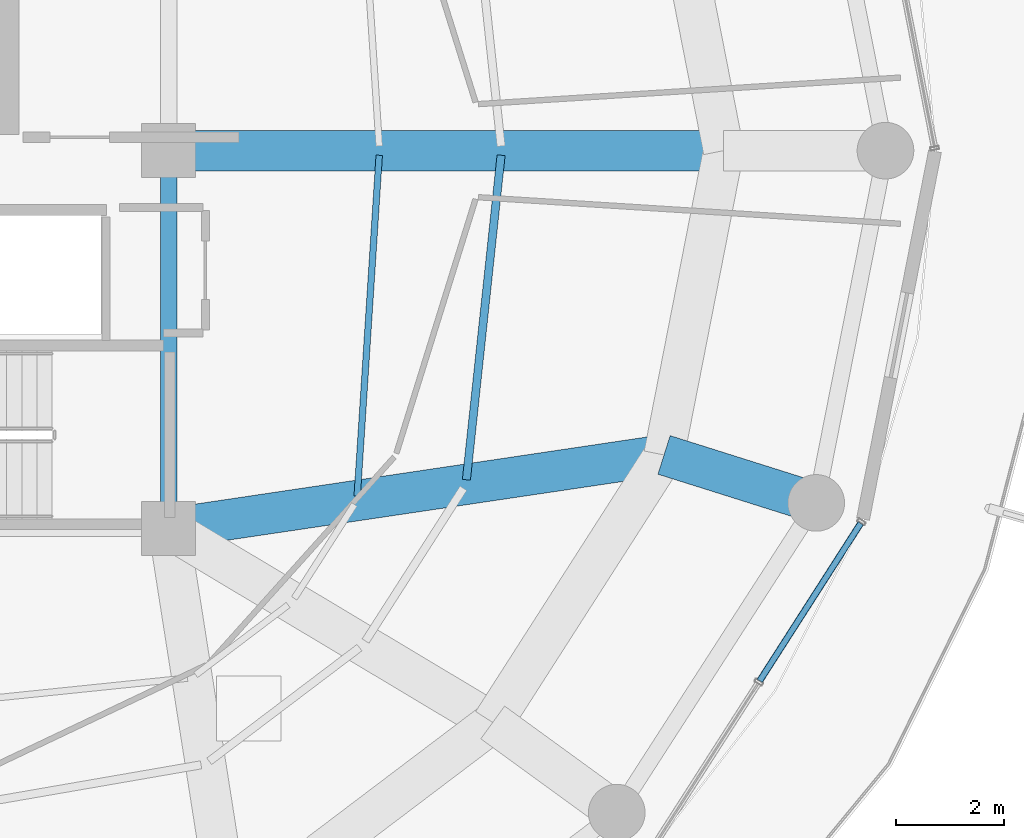
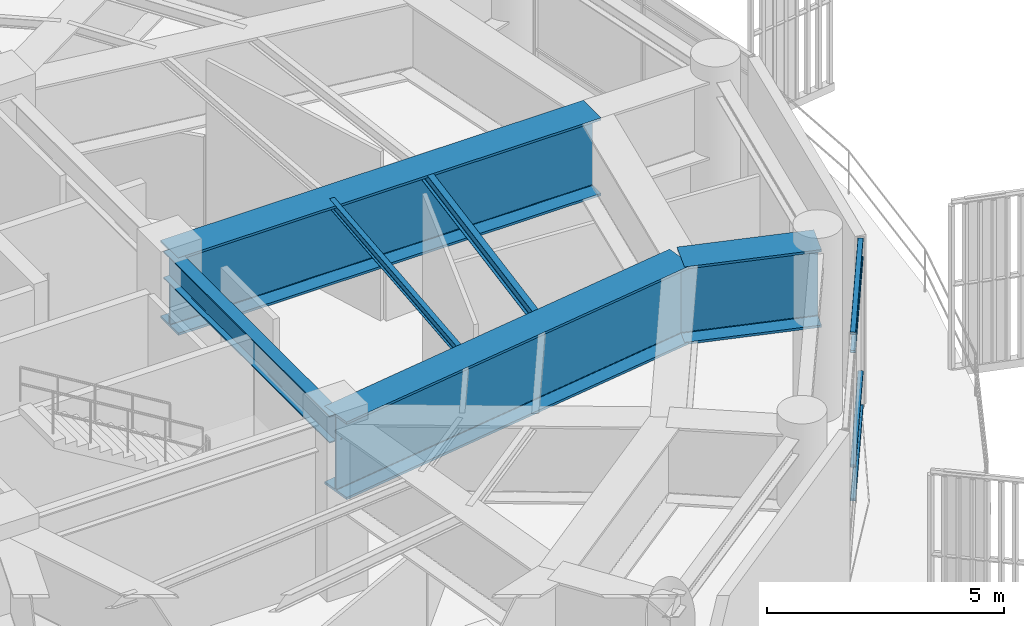
# One storey, part 12 of 29: 6 beams, 4 members, 1 element without a shape of its own.
"""IFC4 building model written with IfcOpenShell, lengths in metres."""

from ifc_helpers import new_model, si_unit, direction, frame, origin, origin_2d, place, context, subcontext, project, spatial, hollow_rectangle, i_section, extrude, material, layer, layer_set, material_profile, profile_set, type_object, element, aggregate, save


model = new_model("IFC4")

# Units and contexts
model_context = context("Model", 3, precision=1e-05, world=origin(), true_north=direction((0.0, 1.0)))
body_context = subcontext(model_context, "Body", "Model", "MODEL_VIEW")
ifc_project = project(units=[si_unit("LENGTHUNIT", "METRE"), si_unit("AREAUNIT", "SQUARE_METRE"), si_unit("VOLUMEUNIT", "CUBIC_METRE"), si_unit("PLANEANGLEUNIT", "RADIAN"), si_unit("MASSUNIT", "GRAM", prefix="KILO")], contexts=[model_context])

# Site, building, storey
site_placement = place(None, origin())
site = spatial("IfcSite", under=ifc_project, at=site_placement, CompositionType="ELEMENT")
building_placement = place(site_placement, origin())
building = spatial("IfcBuilding", under=site, at=building_placement, Name="Kelanora Arch Commons", CompositionType="ELEMENT")
storey_placement = place(building_placement, frame((0.0, 0.0, 238.199951171875)))
storey = spatial("IfcBuildingStorey", under=building, at=storey_placement, Name="L61", CompositionType="ELEMENT", Elevation=238.199951171875)

# Beams
ifc_material_1 = material(Name="Steel S355", Category="steel")
ifc_material_profile_1 = material_profile(ifc_material_1, i_section(OverallWidth=0.300048828125, OverallDepth=0.699951171875, WebThickness=0.01708984375, FlangeThickness=0.031982421875, FilletRadius=0.027099609375, at=origin_2d()), Name="HEB700")
ifc_profile_set_1 = profile_set([ifc_material_profile_1], Name="Steel S355")
beam_type_1 = type_object("IfcBeamType", Name="BM-CORE-HDR", PredefinedType="BEAM", material=ifc_profile_set_1)
beam_1_placement = place(storey_placement, frame((82.0, 51.0, 4.010009765625), z_axis=(0.0, 1.0, 0.0), x_axis=(-1.0, 0.0, 0.0)))
element("IfcBeam", 1, at=beam_1_placement, inside=storey, type_object=beam_type_1, Name="Core Header Beam 03 L61", PredefinedType="BEAM", context=body_context, shape_type="SweptSolid", body=[
    extrude(i_section(OverallWidth=0.300048828125, OverallDepth=0.699951171875, WebThickness=0.01708984375, FlangeThickness=0.031982421875, FilletRadius=0.027099609375, at=origin_2d()), origin(), (0.0, 0.0, 1.0), 7.0),
])
ifc_material_profile_2 = material_profile(ifc_material_1, i_section(OverallWidth=0.14990234375, OverallDepth=0.300048828125, WebThickness=0.007080078125, FlangeThickness=0.0107421875, FilletRadius=0.014892578125, at=origin_2d()), Name="IPE300")
ifc_profile_set_2 = profile_set([ifc_material_profile_2], Name="Steel S355")
beam_type_2 = type_object("IfcBeamType", Name="BM-JST-01", PredefinedType="JOIST", material=ifc_profile_set_2)
beam_2_placement = place(storey_placement, frame((87.515625, 51.902587890625, 4.2099609375), z_axis=(0.106380594087, 0.994325484538, 0.0), x_axis=(-0.994325484538, 0.106380594087, 0.0)))
element("IfcBeam", 2, at=beam_2_placement, inside=storey, type_object=beam_type_2, Name="Secondary Chord Joist BJB-34 L61", PredefinedType="JOIST", context=body_context, shape_type="SweptSolid", body=[
    extrude(i_section(OverallWidth=0.14990234375, OverallDepth=0.300048828125, WebThickness=0.007080078125, FlangeThickness=0.0107421875, FilletRadius=0.014892578125, at=origin_2d()), origin(), (0.0, 0.0, 1.0), 6.04736328125),
])
ifc_material_profile_3 = material_profile(ifc_material_1, i_section(OverallWidth=0.1201171875, OverallDepth=0.239990234375, WebThickness=0.006103515625, FlangeThickness=0.009765625, FilletRadius=0.014892578125, at=origin_2d()), Name="IPE240")
ifc_profile_set_3 = profile_set([ifc_material_profile_3], Name="Steel S355")
beam_type_3 = type_object("IfcBeamType", Name="BM-JST-02", PredefinedType="JOIST", material=ifc_profile_set_3)
beam_3_placement = place(storey_placement, frame((85.492919921875, 51.60302734375, 4.239990234375), z_axis=(0.064495107978, 0.99791802321, 0.0), x_axis=(-0.99791802321, 0.064495107978, 0.0)))
element("IfcBeam", 3, at=beam_3_placement, inside=storey, type_object=beam_type_3, Name="Secondary Chord Joist BJA-34 L61", PredefinedType="JOIST", context=body_context, shape_type="SweptSolid", body=[
    extrude(i_section(OverallWidth=0.1201171875, OverallDepth=0.239990234375, WebThickness=0.006103515625, FlangeThickness=0.009765625, FilletRadius=0.014892578125, at=origin_2d()), origin(), (0.0, 0.0, 1.0), 6.325439453125),
])
ifc_material_profile_4 = material_profile(ifc_material_1, i_section(OverallWidth=0.75, OverallDepth=2.0, WebThickness=0.034912109375, FlangeThickness=0.06005859375, FilletRadius=0.028076171875, at=origin_2d()), Name="PG2000x750")
ifc_profile_set_4 = profile_set([ifc_material_profile_4], Name="Steel S355")
beam_type_4 = type_object("IfcBeamType", Name="BM-XFER-SET", PredefinedType="USERDEFINED", material=ifc_profile_set_4)
beam_4_placement = place(storey_placement, frame((82.0, 58.0, 3.360107421875), z_axis=(1.0, 0.0, 0.0), x_axis=(0.0, 1.0, 0.0)))
element("IfcBeam", 4, at=beam_4_placement, inside=storey, type_object=beam_type_4, Name="Setback Radial Transfer Girder BRI-00 L61", ObjectType="TRANSFER_GIRDER", PredefinedType="USERDEFINED", context=body_context, shape_type="SweptSolid", body=[
    extrude(i_section(OverallWidth=0.75, OverallDepth=2.0, WebThickness=0.034912109375, FlangeThickness=0.06005859375, FilletRadius=0.028076171875, at=origin_2d()), origin(), (0.0, 0.0, 1.0), 10.280029296875),
])
beam_5_placement = place(storey_placement, frame((82.0, 51.0, 3.360107421875), z_axis=(0.989142485564, 0.146959665395, 0.0), x_axis=(-0.146959665395, 0.989142485564, 0.0)))
element("IfcBeam", 5, at=beam_5_placement, inside=storey, type_object=beam_type_4, Name="Setback Radial Transfer Girder BRI-34 L61", ObjectType="TRANSFER_GIRDER", PredefinedType="USERDEFINED", context=body_context, shape_type="SweptSolid", body=[
    extrude(i_section(OverallWidth=0.75, OverallDepth=2.0, WebThickness=0.034912109375, FlangeThickness=0.06005859375, FilletRadius=0.028076171875, at=origin_2d()), origin(), (0.0, 0.0, 1.0), 9.2783203125),
])
beam_6_placement = place(storey_placement, frame((91.177490234375, 52.363525390625, 3.360107421875), z_axis=(0.953687459381, -0.300799318184, 0.0), x_axis=(0.300799318184, 0.953687459381, 0.0)))
element("IfcBeam", 6, at=beam_6_placement, inside=storey, type_object=beam_type_4, Name="Radial Floor Girder BR-34 L61", ObjectType="TRANSFER_GIRDER", PredefinedType="USERDEFINED", context=body_context, shape_type="SweptSolid", body=[
    extrude(i_section(OverallWidth=0.75, OverallDepth=2.0, WebThickness=0.034912109375, FlangeThickness=0.06005859375, FilletRadius=0.028076171875, at=origin_2d()), origin(), (0.0, 0.0, 1.0), 2.9560546875),
])

# Curtain wall, members
ifc_material_2 = material(Name="Terracotta ceramic-fritted low-E glass and aluminium", Category="masonry")
ifc_layer = layer(ifc_material_2, 0.175048828125)
ifc_layer_set = layer_set([ifc_layer], Name="Terracotta ceramic-fritted low-E glass and aluminium")
curtain_wall_type = type_object("IfcCurtainWallType", Name="CW-SYS-02", PredefinedType="NOTDEFINED", material=ifc_layer_set)
curtain_wall_placement = place(storey_placement, origin())
curtain_wall = element("IfcCurtainWall", 7, at=curtain_wall_placement, inside=storey, type_object=curtain_wall_type, Name="Unitised Curtain Wall L61-B16", PredefinedType="NOTDEFINED")
ifc_material_3 = material(Name="Powder-coated aluminium terracotta", Category="masonry")
ifc_material_profile_5 = material_profile(ifc_material_3, hollow_rectangle(XDim=0.1201171875, YDim=0.06005859375, WallThickness=0.0048828125, InnerFilletRadius=0.0048828125, OuterFilletRadius=0.010009765625, at=origin_2d()), Name="CWT120x60")
ifc_profile_set_5 = profile_set([ifc_material_profile_5], Name="Powder-coated aluminium terracotta")
member_type = type_object("IfcMemberType", Name="CWT-STD", PredefinedType="USERDEFINED", material=ifc_profile_set_5)
member_1_placement = place(storey_placement, frame((92.949951171875, 48.17724609375, 0.030029296875), z_axis=(0.539579095642, 0.84193491408, 0.0), x_axis=(-0.84193491408, 0.539579095642, 0.0)))
member_1 = element("IfcMember", 8, at=member_1_placement, type_object=member_type, Name="CW-02 transom 2.1", ObjectType="TRANSOM", PredefinedType="USERDEFINED", context=body_context, shape_type="SweptSolid", body=[
    extrude(hollow_rectangle(XDim=0.1201171875, YDim=0.06005859375, WallThickness=0.0048828125, InnerFilletRadius=0.0048828125, OuterFilletRadius=0.010009765625, at=origin_2d()), origin(), (0.0, 0.0, 1.0), 3.46728515625),
])
member_2_placement = place(storey_placement, frame((92.949951171875, 48.17724609375, 0.900146484375), z_axis=(0.539579095642, 0.84193491408, 0.0), x_axis=(-0.84193491408, 0.539579095642, 0.0)))
member_2 = element("IfcMember", 9, at=member_2_placement, type_object=member_type, Name="CW-02 transom 2.2", ObjectType="TRANSOM", PredefinedType="USERDEFINED", context=body_context, shape_type="SweptSolid", body=[
    extrude(hollow_rectangle(XDim=0.1201171875, YDim=0.06005859375, WallThickness=0.0048828125, InnerFilletRadius=0.0048828125, OuterFilletRadius=0.010009765625, at=origin_2d()), origin(), (0.0, 0.0, 1.0), 3.46728515625),
])
member_3_placement = place(storey_placement, frame((92.949951171875, 48.17724609375, 3.844970703125), z_axis=(0.539579095642, 0.84193491408, 0.0), x_axis=(-0.84193491408, 0.539579095642, 0.0)))
member_3 = element("IfcMember", 10, at=member_3_placement, type_object=member_type, Name="CW-02 transom 2.3", ObjectType="TRANSOM", PredefinedType="USERDEFINED", context=body_context, shape_type="SweptSolid", body=[
    extrude(hollow_rectangle(XDim=0.1201171875, YDim=0.06005859375, WallThickness=0.0048828125, InnerFilletRadius=0.0048828125, OuterFilletRadius=0.010009765625, at=origin_2d()), origin(), (0.0, 0.0, 1.0), 3.46728515625),
])
member_4_placement = place(storey_placement, frame((92.949951171875, 48.17724609375, 4.31494140625), z_axis=(0.539579095642, 0.84193491408, 0.0), x_axis=(-0.84193491408, 0.539579095642, 0.0)))
member_4 = element("IfcMember", 11, at=member_4_placement, type_object=member_type, Name="CW-02 transom 2.4", ObjectType="TRANSOM", PredefinedType="USERDEFINED", context=body_context, shape_type="SweptSolid", body=[
    extrude(hollow_rectangle(XDim=0.1201171875, YDim=0.06005859375, WallThickness=0.0048828125, InnerFilletRadius=0.0048828125, OuterFilletRadius=0.010009765625, at=origin_2d()), origin(), (0.0, 0.0, 1.0), 3.46728515625),
])
aggregate(curtain_wall, [member_1, member_2, member_3, member_4])

save(model, "model.ifc")
